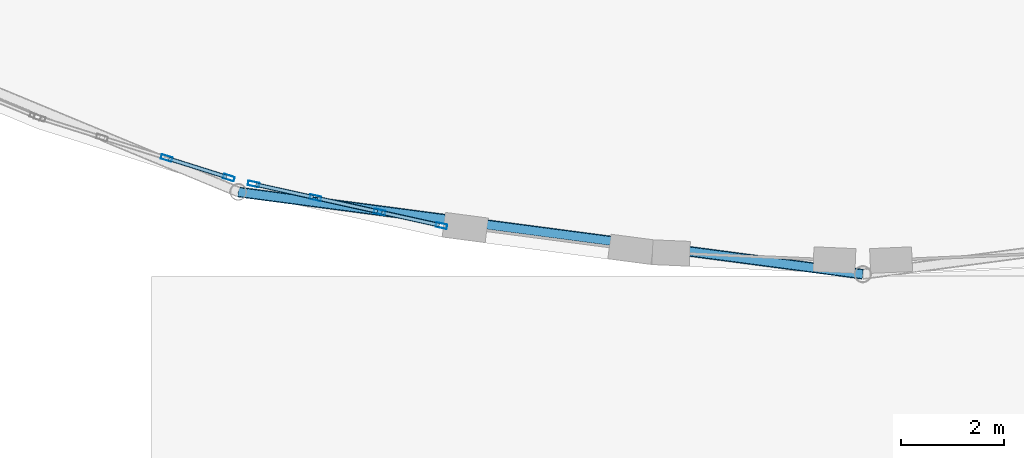
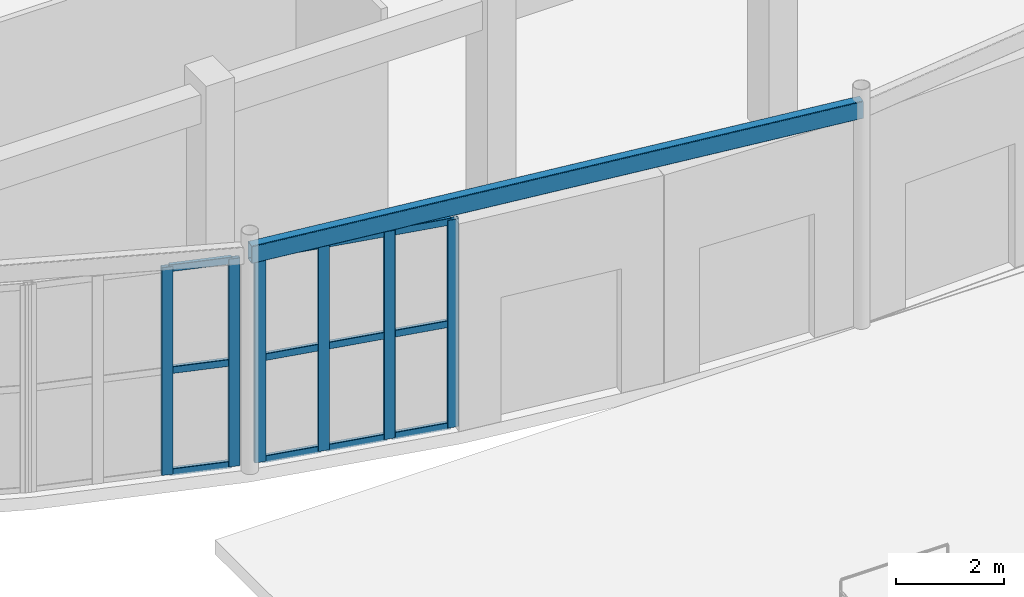
# One storey, part 7 of 98: 18 members, 1 beam, 2 elements without a shape of their own.
"""IFC4 building model written with IfcOpenShell, lengths in metres."""

from ifc_helpers import new_model, si_unit, direction, frame, origin, origin_2d, place, context, subcontext, project, spatial, hollow_rectangle, extrude, material, layer, layer_set, material_profile, profile_set, type_object, element, aggregate, save


model = new_model("IFC4")

# Units and contexts
model_context = context("Model", 3, precision=1e-05, world=origin(), true_north=direction((0.0, 1.0)))
body_context = subcontext(model_context, "Body", "Model", "MODEL_VIEW")
ifc_project = project(units=[si_unit("LENGTHUNIT", "METRE"), si_unit("AREAUNIT", "SQUARE_METRE"), si_unit("VOLUMEUNIT", "CUBIC_METRE"), si_unit("PLANEANGLEUNIT", "RADIAN"), si_unit("MASSUNIT", "GRAM", prefix="KILO")], contexts=[model_context])

# Site, building, storey
site_placement = place(None, origin())
site = spatial("IfcSite", under=ifc_project, at=site_placement, CompositionType="ELEMENT")
building_placement = place(site_placement, origin())
building = spatial("IfcBuilding", under=site, at=building_placement, Name="Tarnavel Promenade Courthouse", CompositionType="ELEMENT")
storey_placement = place(building_placement, origin())
storey = spatial("IfcBuildingStorey", under=building, at=storey_placement, Name="L01", CompositionType="ELEMENT", Elevation=0.0)

# Beam
ifc_material_1 = material(Name="Steel S355J2", Category="steel")
ifc_material_profile_1 = material_profile(ifc_material_1, hollow_rectangle(XDim=0.199951171875, YDim=0.39990234375, WallThickness=0.01416015625, InnerFilletRadius=0.013916015625, OuterFilletRadius=0.028076171875, at=origin_2d()), Name="RHS 400x200x14.2")
ifc_profile_set_1 = profile_set([ifc_material_profile_1], Name="Steel S355J2")
beam_type = type_object("IfcBeamType", Name="Steel S355J2 BM-ST-RHS400 (RHS 400x200x14.2)", PredefinedType="SPANDREL", material=ifc_profile_set_1)
beam_placement = place(storey_placement, frame((19.687255859375, 9.99462890625, 4.89501953125), z_axis=(0.991444362306, -0.13052998296, 0.0), x_axis=(0.13052998296, 0.991444362306, 0.0)))
element("IfcBeam", 1, at=beam_placement, inside=storey, type_object=beam_type, Name="L01 Public Drum Ring Beam 1067", PredefinedType="SPANDREL", context=body_context, shape_type="SweptSolid", body=[
    extrude(hollow_rectangle(XDim=0.199951171875, YDim=0.39990234375, WallThickness=0.01416015625, InnerFilletRadius=0.013916015625, OuterFilletRadius=0.028076171875, at=origin_2d()), origin(), (0.0, 0.0, 1.0), 12.21728515625),
])

# Curtain wall, members
ifc_material_2 = material(Name="Thermally Broken Anodised Aluminium Curtain Wall System", Category="aluminium")
ifc_layer = layer(ifc_material_2, 0.219970703125)
ifc_layer_set = layer_set([ifc_layer], Name="Thermally Broken Anodised Aluminium Curtain Wall System")
curtain_wall_type = type_object("IfcCurtainWallType", Name="Thermally Broken Aluminium Triple-Glazed Curtain Wall CW-DRUM", PredefinedType="NOTDEFINED", material=ifc_layer_set)
curtain_wall_1_placement = place(storey_placement, origin())
curtain_wall_1 = element("IfcCurtainWall", 2, at=curtain_wall_1_placement, inside=storey, type_object=curtain_wall_type, Name="L01 Public Hall Drum Curtain Wall 003", PredefinedType="NOTDEFINED")
ifc_material_3 = material(Name="Thermally Broken Anodised Aluminium Frame", Category="aluminium")
ifc_material_profile_2 = material_profile(ifc_material_3, hollow_rectangle(XDim=0.090087890625, YDim=0.219970703125, WallThickness=0.0048828125, InnerFilletRadius=0.0048828125, OuterFilletRadius=0.010009765625, at=origin_2d()), Name="CWM 220x90x5")
ifc_profile_set_2 = profile_set([ifc_material_profile_2], Name="Thermally Broken Anodised Aluminium Frame")
member_type_1 = type_object("IfcMemberType", Name="Thermally Broken Anodised Aluminium CWM-175 (CWM 220x90x5)", PredefinedType="MULLION", material=ifc_profile_set_2)
member_1_placement = place(storey_placement, frame((18.296630859375, 10.653076171875, 0.0), z_axis=(0.0, 0.0, 1.0), x_axis=(0.300704046766, 0.953717503383, 0.0)))
member_1 = element("IfcMember", 3, at=member_1_placement, type_object=member_type_1, Name="CW-01 mullion 3", PredefinedType="MULLION", context=body_context, shape_type="SweptSolid", body=[
    extrude(hollow_rectangle(XDim=0.090087890625, YDim=0.219970703125, WallThickness=0.0048828125, InnerFilletRadius=0.0048828125, OuterFilletRadius=0.010009765625, at=origin_2d()), origin(), (0.0, 0.0, 1.0), 4.679931640625),
])
member_2_placement = place(storey_placement, frame((19.50537109375, 10.27197265625, 0.0), z_axis=(0.0, 0.0, 1.0), x_axis=(0.300704046766, 0.953717503383, 0.0)))
member_2 = element("IfcMember", 4, at=member_2_placement, type_object=member_type_1, Name="CW-01 mullion 4", PredefinedType="MULLION", context=body_context, shape_type="SweptSolid", body=[
    extrude(hollow_rectangle(XDim=0.090087890625, YDim=0.219970703125, WallThickness=0.0048828125, InnerFilletRadius=0.0048828125, OuterFilletRadius=0.010009765625, at=origin_2d()), origin(), (0.0, 0.0, 1.0), 4.679931640625),
])

curtain_wall_2_placement = place(storey_placement, origin())
curtain_wall_2 = element("IfcCurtainWall", 5, at=curtain_wall_2_placement, inside=storey, type_object=curtain_wall_type, Name="L01 Public Hall Drum Curtain Wall 004", PredefinedType="NOTDEFINED")
member_3_placement = place(storey_placement, frame((19.984619140625, 10.148681640625, 0.0), z_axis=(0.0, 0.0, 1.0), x_axis=(0.216439955496, 0.976295931398, 0.0)))
member_3 = element("IfcMember", 6, at=member_3_placement, type_object=member_type_1, Name="CW-01 mullion 1", PredefinedType="MULLION", context=body_context, shape_type="SweptSolid", body=[
    extrude(hollow_rectangle(XDim=0.090087890625, YDim=0.219970703125, WallThickness=0.0048828125, InnerFilletRadius=0.0048828125, OuterFilletRadius=0.010009765625, at=origin_2d()), origin(), (0.0, 0.0, 1.0), 4.679931640625),
])
member_4_placement = place(storey_placement, frame((21.184814453125, 9.882568359375, 0.0), z_axis=(0.0, 0.0, 1.0), x_axis=(0.216439955496, 0.976295931398, 0.0)))
member_4 = element("IfcMember", 7, at=member_4_placement, type_object=member_type_1, Name="CW-01 mullion 2", PredefinedType="MULLION", context=body_context, shape_type="SweptSolid", body=[
    extrude(hollow_rectangle(XDim=0.090087890625, YDim=0.219970703125, WallThickness=0.0048828125, InnerFilletRadius=0.0048828125, OuterFilletRadius=0.010009765625, at=origin_2d()), origin(), (0.0, 0.0, 1.0), 4.679931640625),
])
member_5_placement = place(storey_placement, frame((22.42919921875, 9.60693359375, 0.0), z_axis=(0.0, 0.0, 1.0), x_axis=(0.216439955496, 0.976295931398, 0.0)))
member_5 = element("IfcMember", 8, at=member_5_placement, type_object=member_type_1, Name="CW-01 mullion 3", PredefinedType="MULLION", context=body_context, shape_type="SweptSolid", body=[
    extrude(hollow_rectangle(XDim=0.090087890625, YDim=0.219970703125, WallThickness=0.0048828125, InnerFilletRadius=0.0048828125, OuterFilletRadius=0.010009765625, at=origin_2d()), origin(), (0.0, 0.0, 1.0), 4.679931640625),
])
member_6_placement = place(storey_placement, frame((23.62939453125, 9.3408203125, 0.0), z_axis=(0.0, 0.0, 1.0), x_axis=(0.216439955496, 0.976295931398, 0.0)))
member_6 = element("IfcMember", 9, at=member_6_placement, type_object=member_type_1, Name="CW-01 mullion 4", PredefinedType="MULLION", context=body_context, shape_type="SweptSolid", body=[
    extrude(hollow_rectangle(XDim=0.090087890625, YDim=0.219970703125, WallThickness=0.0048828125, InnerFilletRadius=0.0048828125, OuterFilletRadius=0.010009765625, at=origin_2d()), origin(), (0.0, 0.0, 1.0), 4.679931640625),
])

# Member
ifc_material_profile_3 = material_profile(ifc_material_3, hollow_rectangle(XDim=0.080078125, YDim=0.159912109375, WallThickness=0.0048828125, InnerFilletRadius=0.0048828125, OuterFilletRadius=0.010009765625, at=origin_2d()), Name="CWT 160x80x5")
ifc_profile_set_3 = profile_set([ifc_material_profile_3], Name="Thermally Broken Anodised Aluminium Frame")
member_type_2 = type_object("IfcMemberType", Name="Thermally Broken Anodised Aluminium CWT-145 (CWT 160x80x5)", PredefinedType="USERDEFINED", material=ifc_profile_set_3)
member_7_placement = place(storey_placement, frame((18.339599609375, 10.6396484375, 0.0400390625), z_axis=(0.953720467318, -0.300694646143, 0.0), x_axis=(0.300694646143, 0.953720467318, 0.0)))
member_7 = element("IfcMember", 10, at=member_7_placement, type_object=member_type_2, Name="CW-01 transom 3.1", ObjectType="TRANSOM", PredefinedType="USERDEFINED", context=body_context, shape_type="SweptSolid", body=[
    extrude(hollow_rectangle(XDim=0.080078125, YDim=0.159912109375, WallThickness=0.0048828125, InnerFilletRadius=0.0048828125, OuterFilletRadius=0.010009765625, at=origin_2d()), origin(), (0.0, 0.0, 1.0), 1.17724609375),
])

member_8_placement = place(storey_placement, frame((18.339599609375, 10.6396484375, 2.340087890625), z_axis=(0.953720467318, -0.300694646143, 0.0), x_axis=(0.300694646143, 0.953720467318, 0.0)))
member_8 = element("IfcMember", 11, at=member_8_placement, type_object=member_type_2, Name="CW-01 transom 3.2", ObjectType="TRANSOM", PredefinedType="USERDEFINED", context=body_context, shape_type="SweptSolid", body=[
    extrude(hollow_rectangle(XDim=0.080078125, YDim=0.159912109375, WallThickness=0.0048828125, InnerFilletRadius=0.0048828125, OuterFilletRadius=0.010009765625, at=origin_2d()), origin(), (0.0, 0.0, 1.0), 1.17724609375),
])

member_9_placement = place(storey_placement, frame((18.339599609375, 10.6396484375, 4.639892578125), z_axis=(0.953720467318, -0.300694646143, 0.0), x_axis=(0.300694646143, 0.953720467318, 0.0)))
member_9 = element("IfcMember", 12, at=member_9_placement, type_object=member_type_2, Name="CW-01 transom 3.3", ObjectType="TRANSOM", PredefinedType="USERDEFINED", context=body_context, shape_type="SweptSolid", body=[
    extrude(hollow_rectangle(XDim=0.080078125, YDim=0.159912109375, WallThickness=0.0048828125, InnerFilletRadius=0.0048828125, OuterFilletRadius=0.010009765625, at=origin_2d()), origin(), (0.0, 0.0, 1.0), 1.17724609375),
])

aggregate(curtain_wall_1, [member_1, member_2, member_7, member_8, member_9])

member_10_placement = place(storey_placement, frame((20.028564453125, 10.138916015625, 0.0400390625), z_axis=(0.976297858311, -0.216431263585, 0.0), x_axis=(0.216431263585, 0.976297858311, 0.0)))
member_10 = element("IfcMember", 13, at=member_10_placement, type_object=member_type_2, Name="CW-01 transom 1.1", ObjectType="TRANSOM", PredefinedType="USERDEFINED", context=body_context, shape_type="SweptSolid", body=[
    extrude(hollow_rectangle(XDim=0.080078125, YDim=0.159912109375, WallThickness=0.0048828125, InnerFilletRadius=0.0048828125, OuterFilletRadius=0.010009765625, at=origin_2d()), origin(), (0.0, 0.0, 1.0), 1.139404296875),
])

member_11_placement = place(storey_placement, frame((20.028564453125, 10.138916015625, 2.340087890625), z_axis=(0.976297858311, -0.216431263585, 0.0), x_axis=(0.216431263585, 0.976297858311, 0.0)))
member_11 = element("IfcMember", 14, at=member_11_placement, type_object=member_type_2, Name="CW-01 transom 1.2", ObjectType="TRANSOM", PredefinedType="USERDEFINED", context=body_context, shape_type="SweptSolid", body=[
    extrude(hollow_rectangle(XDim=0.080078125, YDim=0.159912109375, WallThickness=0.0048828125, InnerFilletRadius=0.0048828125, OuterFilletRadius=0.010009765625, at=origin_2d()), origin(), (0.0, 0.0, 1.0), 1.139404296875),
])

member_12_placement = place(storey_placement, frame((20.028564453125, 10.138916015625, 4.639892578125), z_axis=(0.976297858311, -0.216431263585, 0.0), x_axis=(0.216431263585, 0.976297858311, 0.0)))
member_12 = element("IfcMember", 15, at=member_12_placement, type_object=member_type_2, Name="CW-01 transom 1.3", ObjectType="TRANSOM", PredefinedType="USERDEFINED", context=body_context, shape_type="SweptSolid", body=[
    extrude(hollow_rectangle(XDim=0.080078125, YDim=0.159912109375, WallThickness=0.0048828125, InnerFilletRadius=0.0048828125, OuterFilletRadius=0.010009765625, at=origin_2d()), origin(), (0.0, 0.0, 1.0), 1.139404296875),
])

member_13_placement = place(storey_placement, frame((21.228759765625, 9.872802734375, 0.0400390625), z_axis=(0.976303306475, -0.216406686046, 0.0), x_axis=(0.216406686046, 0.976303306475, 0.0)))
member_13 = element("IfcMember", 16, at=member_13_placement, type_object=member_type_2, Name="CW-01 transom 2.1", ObjectType="TRANSOM", PredefinedType="USERDEFINED", context=body_context, shape_type="SweptSolid", body=[
    extrude(hollow_rectangle(XDim=0.080078125, YDim=0.159912109375, WallThickness=0.0048828125, InnerFilletRadius=0.0048828125, OuterFilletRadius=0.010009765625, at=origin_2d()), origin(), (0.0, 0.0, 1.0), 1.1845703125),
])

member_14_placement = place(storey_placement, frame((21.228759765625, 9.872802734375, 2.340087890625), z_axis=(0.976303306475, -0.216406686046, 0.0), x_axis=(0.216406686046, 0.976303306475, 0.0)))
member_14 = element("IfcMember", 17, at=member_14_placement, type_object=member_type_2, Name="CW-01 transom 2.2", ObjectType="TRANSOM", PredefinedType="USERDEFINED", context=body_context, shape_type="SweptSolid", body=[
    extrude(hollow_rectangle(XDim=0.080078125, YDim=0.159912109375, WallThickness=0.0048828125, InnerFilletRadius=0.0048828125, OuterFilletRadius=0.010009765625, at=origin_2d()), origin(), (0.0, 0.0, 1.0), 1.1845703125),
])

member_15_placement = place(storey_placement, frame((21.228759765625, 9.872802734375, 4.639892578125), z_axis=(0.976303306475, -0.216406686046, 0.0), x_axis=(0.216406686046, 0.976303306475, 0.0)))
member_15 = element("IfcMember", 18, at=member_15_placement, type_object=member_type_2, Name="CW-01 transom 2.3", ObjectType="TRANSOM", PredefinedType="USERDEFINED", context=body_context, shape_type="SweptSolid", body=[
    extrude(hollow_rectangle(XDim=0.080078125, YDim=0.159912109375, WallThickness=0.0048828125, InnerFilletRadius=0.0048828125, OuterFilletRadius=0.010009765625, at=origin_2d()), origin(), (0.0, 0.0, 1.0), 1.1845703125),
])

member_16_placement = place(storey_placement, frame((22.472900390625, 9.59716796875, 0.0400390625), z_axis=(0.976307892964, -0.216385993393, 0.0), x_axis=(0.216385993393, 0.976307892964, 0.0)))
member_16 = element("IfcMember", 19, at=member_16_placement, type_object=member_type_2, Name="CW-01 transom 3.1", ObjectType="TRANSOM", PredefinedType="USERDEFINED", context=body_context, shape_type="SweptSolid", body=[
    extrude(hollow_rectangle(XDim=0.080078125, YDim=0.159912109375, WallThickness=0.0048828125, InnerFilletRadius=0.0048828125, OuterFilletRadius=0.010009765625, at=origin_2d()), origin(), (0.0, 0.0, 1.0), 1.1396484375),
])

member_17_placement = place(storey_placement, frame((22.472900390625, 9.59716796875, 2.340087890625), z_axis=(0.976307892964, -0.216385993393, 0.0), x_axis=(0.216385993393, 0.976307892964, 0.0)))
member_17 = element("IfcMember", 20, at=member_17_placement, type_object=member_type_2, Name="CW-01 transom 3.2", ObjectType="TRANSOM", PredefinedType="USERDEFINED", context=body_context, shape_type="SweptSolid", body=[
    extrude(hollow_rectangle(XDim=0.080078125, YDim=0.159912109375, WallThickness=0.0048828125, InnerFilletRadius=0.0048828125, OuterFilletRadius=0.010009765625, at=origin_2d()), origin(), (0.0, 0.0, 1.0), 1.1396484375),
])

member_18_placement = place(storey_placement, frame((22.472900390625, 9.59716796875, 4.639892578125), z_axis=(0.976307892964, -0.216385993393, 0.0), x_axis=(0.216385993393, 0.976307892964, 0.0)))
member_18 = element("IfcMember", 21, at=member_18_placement, type_object=member_type_2, Name="CW-01 transom 3.3", ObjectType="TRANSOM", PredefinedType="USERDEFINED", context=body_context, shape_type="SweptSolid", body=[
    extrude(hollow_rectangle(XDim=0.080078125, YDim=0.159912109375, WallThickness=0.0048828125, InnerFilletRadius=0.0048828125, OuterFilletRadius=0.010009765625, at=origin_2d()), origin(), (0.0, 0.0, 1.0), 1.1396484375),
])

aggregate(curtain_wall_2, [member_3, member_4, member_5, member_6, member_10, member_11, member_12, member_13, member_14, member_15, member_16, member_17, member_18])

save(model, "model.ifc")
